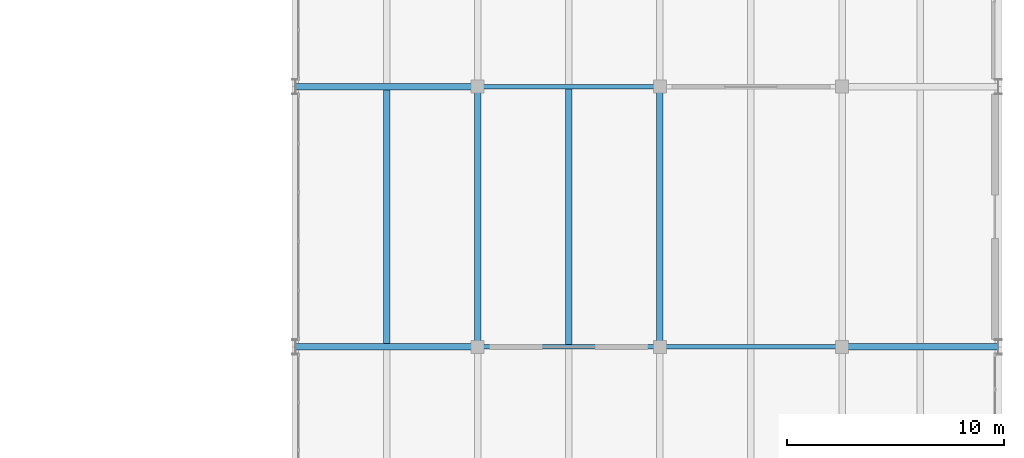
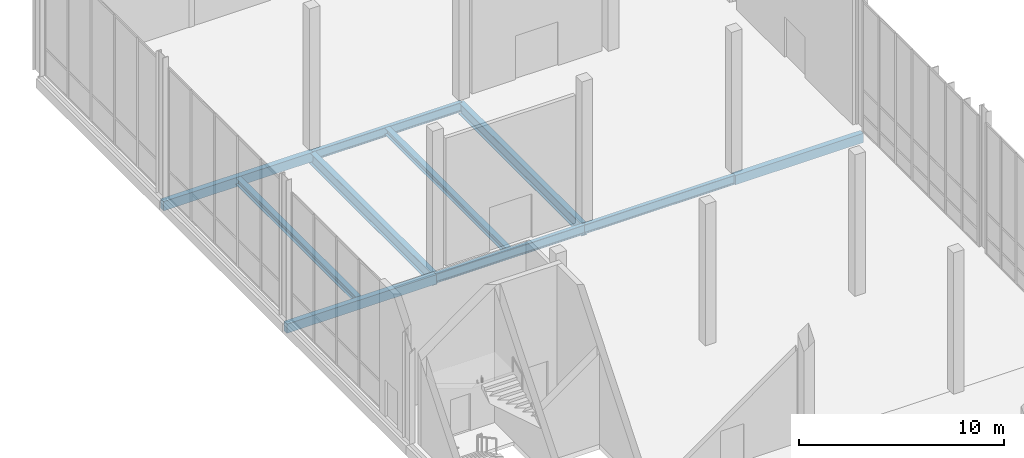
# One storey, part 97 of 131: 10 beams.
"""IFC4 building model written with IfcOpenShell, lengths in metres."""

from ifc_helpers import new_model, si_unit, direction, frame, origin, origin_2d, place, context, subcontext, project, spatial, rectangle, i_section, extrude, material, material_profile, profile_set, type_object, element, save


model = new_model("IFC4")

# Units and contexts
model_context = context("Model", 3, precision=1e-05, world=origin(), true_north=direction((0.0, 1.0)))
body_context = subcontext(model_context, "Body", "Model", "MODEL_VIEW")
ifc_project = project(units=[si_unit("LENGTHUNIT", "METRE"), si_unit("AREAUNIT", "SQUARE_METRE"), si_unit("VOLUMEUNIT", "CUBIC_METRE"), si_unit("PLANEANGLEUNIT", "RADIAN"), si_unit("MASSUNIT", "GRAM", prefix="KILO")], contexts=[model_context])

# Site, building, storey
site_placement = place(None, origin())
site = spatial("IfcSite", under=ifc_project, at=site_placement, CompositionType="ELEMENT")
building_placement = place(site_placement, origin())
building = spatial("IfcBuilding", under=site, at=building_placement, Name="Veltarok Museum of Natural Sciences", CompositionType="ELEMENT")
storey_placement = place(building_placement, origin())
storey = spatial("IfcBuildingStorey", under=building, at=storey_placement, Name="L00", CompositionType="ELEMENT", Elevation=0.0)

# Beams
ifc_material_1 = material(Name="Steel S355J2", Category="steel")
ifc_material_profile_1 = material_profile(ifc_material_1, i_section(OverallWidth=0.2099609375, OverallDepth=0.550048828125, WebThickness=0.010986328125, FlangeThickness=0.01708984375, FilletRadius=0.02392578125, at=origin_2d()), Name="IPE 550")
ifc_profile_set_1 = profile_set([ifc_material_profile_1], Name="Steel S355J2")
beam_type_1 = type_object("IfcBeamType", Name="Archive Heavy Girder IPE 550", PredefinedType="BEAM", material=ifc_profile_set_1)
beam_1_placement = place(storey_placement, frame((140.800048828125, 48.0, -0.574951171875), z_axis=(1.0, 0.0, 0.0), x_axis=(0.0, 1.0, 0.0)))
element("IfcBeam", 1, at=beam_1_placement, inside=storey, type_object=beam_type_1, Name="Beam BM-G03 L00 17-18/F", PredefinedType="BEAM", context=body_context, shape_type="SweptSolid", body=[
    extrude(i_section(OverallWidth=0.2099609375, OverallDepth=0.550048828125, WebThickness=0.010986328125, FlangeThickness=0.01708984375, FilletRadius=0.02392578125, at=origin_2d()), origin(), (0.0, 0.0, 1.0), 8.39990234375),
])
beam_2_placement = place(storey_placement, frame((149.199951171875, 48.0, -0.574951171875), z_axis=(1.0, 0.0, 0.0), x_axis=(0.0, 1.0, 0.0)))
element("IfcBeam", 2, at=beam_2_placement, inside=storey, type_object=beam_type_1, Name="Beam BM-G03 L00 18-19/F", PredefinedType="BEAM", context=body_context, shape_type="SweptSolid", body=[
    extrude(i_section(OverallWidth=0.2099609375, OverallDepth=0.550048828125, WebThickness=0.010986328125, FlangeThickness=0.01708984375, FilletRadius=0.02392578125, at=origin_2d()), origin(), (0.0, 0.0, 1.0), 8.400146484375),
])
beam_3_placement = place(storey_placement, frame((140.800048828125, 60.0, -0.574951171875), z_axis=(1.0, 0.0, 0.0), x_axis=(0.0, 1.0, 0.0)))
element("IfcBeam", 3, at=beam_3_placement, inside=storey, type_object=beam_type_1, Name="Beam BM-G03 L00 17-18/G", PredefinedType="BEAM", context=body_context, shape_type="SweptSolid", body=[
    extrude(i_section(OverallWidth=0.2099609375, OverallDepth=0.550048828125, WebThickness=0.010986328125, FlangeThickness=0.01708984375, FilletRadius=0.02392578125, at=origin_2d()), origin(), (0.0, 0.0, 1.0), 8.39990234375),
])
ifc_material_2 = material(Name="Precast concrete C40/50", Category="concrete")
ifc_material_profile_2 = material_profile(ifc_material_2, rectangle(XDim=0.300048828125, YDim=0.550048828125, at=origin_2d()), Name="RC 300x550")
ifc_profile_set_2 = profile_set([ifc_material_profile_2], Name="Precast concrete C40/50")
beam_type_2 = type_object("IfcBeamType", Name="East Wing Precast Spandrel RC 300x550", PredefinedType="SPANDREL", material=ifc_profile_set_2)
beam_4_placement = place(storey_placement, frame((132.39990234375, 48.0, -0.574951171875), z_axis=(1.0, 0.0, 0.0), x_axis=(0.0, 1.0, 0.0)))
element("IfcBeam", 4, at=beam_4_placement, inside=storey, type_object=beam_type_2, Name="Beam BM-SP02 L00 16-17/F", PredefinedType="SPANDREL", context=body_context, shape_type="SweptSolid", body=[
    extrude(rectangle(XDim=0.300048828125, YDim=0.550048828125, at=origin_2d()), origin(), (0.0, 0.0, 1.0), 8.400146484375),
])
beam_5_placement = place(storey_placement, frame((157.60009765625, 48.0, -0.574951171875), z_axis=(1.0, 0.0, 0.0), x_axis=(0.0, 1.0, 0.0)))
element("IfcBeam", 5, at=beam_5_placement, inside=storey, type_object=beam_type_2, Name="Beam BM-SP02 L00 19-20/F", PredefinedType="SPANDREL", context=body_context, shape_type="SweptSolid", body=[
    extrude(rectangle(XDim=0.300048828125, YDim=0.550048828125, at=origin_2d()), origin(), (0.0, 0.0, 1.0), 7.199951171875),
])
beam_6_placement = place(storey_placement, frame((132.39990234375, 60.0, -0.574951171875), z_axis=(1.0, 0.0, 0.0), x_axis=(0.0, 1.0, 0.0)))
element("IfcBeam", 6, at=beam_6_placement, inside=storey, type_object=beam_type_2, Name="Beam BM-SP02 L00 16-17/G", PredefinedType="SPANDREL", context=body_context, shape_type="SweptSolid", body=[
    extrude(rectangle(XDim=0.300048828125, YDim=0.550048828125, at=origin_2d()), origin(), (0.0, 0.0, 1.0), 8.400146484375),
])
ifc_material_profile_3 = material_profile(ifc_material_1, i_section(OverallWidth=0.300048828125, OverallDepth=0.389892578125, WebThickness=0.010986328125, FlangeThickness=0.01904296875, FilletRadius=0.027099609375, at=origin_2d()), Name="HEA 400")
ifc_profile_set_3 = profile_set([ifc_material_profile_3], Name="Steel S355J2")
beam_type_3 = type_object("IfcBeamType", Name="Heavy Archive Joist HEA 400", PredefinedType="JOIST", material=ifc_profile_set_3)
beam_7_placement = place(storey_placement, frame((136.60009765625, 48.14794921875, -0.4951171875), z_axis=(0.0, 1.0, 0.0), x_axis=(-1.0, 0.0, 0.0)))
element("IfcBeam", 7, at=beam_7_placement, inside=storey, type_object=beam_type_3, Name="Secondary Joist BM-J06 L00 16-17/F-G.1", PredefinedType="JOIST", context=body_context, shape_type="SweptSolid", body=[
    extrude(i_section(OverallWidth=0.300048828125, OverallDepth=0.389892578125, WebThickness=0.010986328125, FlangeThickness=0.01904296875, FilletRadius=0.027099609375, at=origin_2d()), origin(), (0.0, 0.0, 1.0), 11.7041015625),
])
beam_8_placement = place(storey_placement, frame((145.0, 48.10302734375, -0.4951171875), z_axis=(0.0, 1.0, 0.0), x_axis=(-1.0, 0.0, 0.0)))
element("IfcBeam", 8, at=beam_8_placement, inside=storey, type_object=beam_type_3, Name="Secondary Joist BM-J06 L00 17-18/F-G.1", PredefinedType="JOIST", context=body_context, shape_type="SweptSolid", body=[
    extrude(i_section(OverallWidth=0.300048828125, OverallDepth=0.389892578125, WebThickness=0.010986328125, FlangeThickness=0.01904296875, FilletRadius=0.027099609375, at=origin_2d()), origin(), (0.0, 0.0, 1.0), 11.7939453125),
])
ifc_material_profile_4 = material_profile(ifc_material_1, i_section(OverallWidth=0.300048828125, OverallDepth=0.699951171875, WebThickness=0.01708984375, FlangeThickness=0.031982421875, FilletRadius=0.027099609375, at=origin_2d()), Name="HEB 700")
ifc_profile_set_4 = profile_set([ifc_material_profile_4], Name="Steel S355J2")
beam_type_4 = type_object("IfcBeamType", Name="Long-Span Hall Girder HEB 700", PredefinedType="BEAM", material=ifc_profile_set_4)
for number, where, z_axis, x_axis, name in (
    (9, (140.800048828125, 48.0, -0.64990234375), (0.0, 1.0, 0.0), (-1.0, 0.0, 0.0), "Beam BM-G01 L00 17/F-G"),
    (10, (149.199951171875, 48.0, -0.64990234375), (0.0, 1.0, 0.0), (-1.0, 0.0, 0.0), "Beam BM-G01 L00 18/F-G"),
):
    element("IfcBeam", number, at=place(storey_placement, frame(where, z_axis=z_axis, x_axis=x_axis)), inside=storey, type_object=beam_type_4, Name=name, PredefinedType="BEAM", context=body_context, shape_type="SweptSolid", body=[
        extrude(i_section(OverallWidth=0.300048828125, OverallDepth=0.699951171875, WebThickness=0.01708984375, FlangeThickness=0.031982421875, FilletRadius=0.027099609375, at=origin_2d()), origin(), (0.0, 0.0, 1.0), 12.0),
    ])

save(model, "model.ifc")
